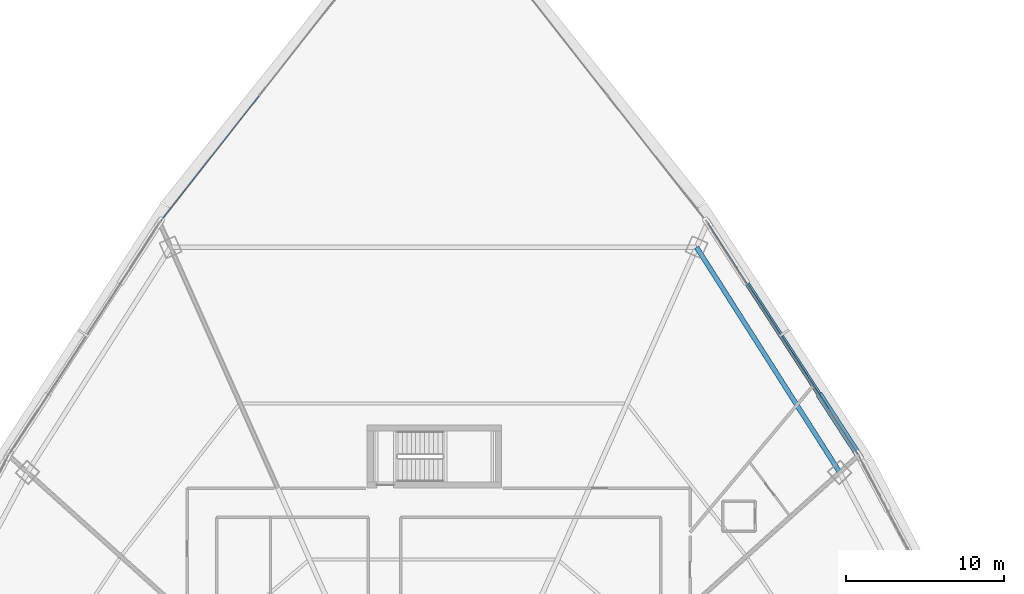
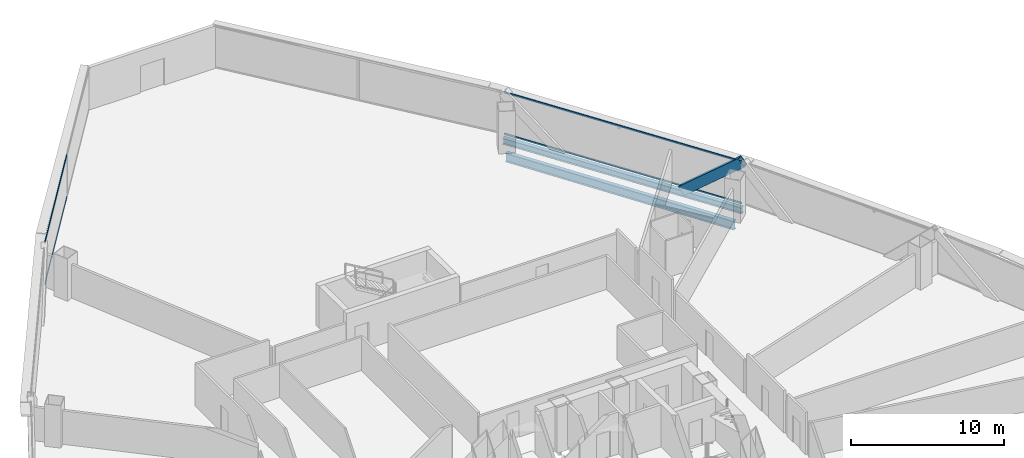
# One storey, part 26 of 42: 5 members, 2 beams, 2 elements without a shape of their own.
"""IFC4 building model written with IfcOpenShell, lengths in metres."""

from ifc_helpers import new_model, si_unit, direction, frame, origin, origin_2d, place, context, subcontext, project, spatial, hollow_rectangle, i_section, extrude, source, transform, mapped, material, layer, layer_set, material_profile, profile_set, type_object, element, aggregate, save


model = new_model("IFC4")

# Units and contexts
model_context = context("Model", 3, precision=1e-05, world=origin(), true_north=direction((0.0, 1.0)))
body_context = subcontext(model_context, "Body", "Model", "MODEL_VIEW")
ifc_project = project(units=[si_unit("LENGTHUNIT", "METRE"), si_unit("AREAUNIT", "SQUARE_METRE"), si_unit("VOLUMEUNIT", "CUBIC_METRE"), si_unit("PLANEANGLEUNIT", "RADIAN"), si_unit("MASSUNIT", "GRAM", prefix="KILO"), si_unit("THERMODYNAMICTEMPERATUREUNIT", "KELVIN"), si_unit("POWERUNIT", "WATT")], contexts=[model_context])

# Site, building, storey
site_placement = place(None, origin())
site = spatial("IfcSite", under=ifc_project, at=site_placement, CompositionType="ELEMENT")
building_placement = place(site_placement, origin())
building = spatial("IfcBuilding", under=site, at=building_placement, Name="Yunzhuo Pagoda Commons", CompositionType="ELEMENT")
storey_placement = place(building_placement, frame((0.0, 0.0, 44.919921875)))
storey = spatial("IfcBuildingStorey", under=building, at=storey_placement, Name="L11", CompositionType="ELEMENT", Elevation=44.919921875)

# Beams
ifc_material_1 = material(Name="Structural steel Q355B", Category="steel")
ifc_material_profile_1 = material_profile(ifc_material_1, i_section(OverallWidth=0.300048828125, OverallDepth=0.699951171875, WebThickness=0.012939453125, FlangeThickness=0.02392578125, at=origin_2d()), Name="Structural steel Q355B")
ifc_profile_set_1 = profile_set([ifc_material_profile_1], Name="Structural steel Q355B")
beam_type_1 = type_object("IfcBeamType", Name="B-RG1 Beam HN 700x300x13x24", PredefinedType="BEAM", material=ifc_profile_set_1)
shared_shape_1 = source(origin(), body_context, "Body", "SweptSolid", [
    extrude(i_section(OverallWidth=0.300048828125, OverallDepth=0.699951171875, WebThickness=0.012939453125, FlangeThickness=0.02392578125, at=origin_2d()), origin(), (0.0, 0.0, 1.0), 16.843994140625),
])
beam_1_placement = place(storey_placement, frame((73.648681640625, 56.79443359375, -0.60986328125), z_axis=(-0.536558458992, 0.843863152462, 0.0), x_axis=(-0.843863152462, -0.536558458992, 0.0)))
element("IfcBeam", 1, at=beam_1_placement, inside=storey, type_object=beam_type_1, Name="L11 column-ring beam 7", PredefinedType="BEAM", context=body_context, shape_type="MappedRepresentation", body=[
    mapped(shared_shape_1, transform((0.0, 0.0, 0.0), scale=1.0)),
])
ifc_material_profile_2 = material_profile(ifc_material_1, i_section(OverallWidth=0.300048828125, OverallDepth=0.488037109375, WebThickness=0.010986328125, FlangeThickness=0.01806640625, at=origin_2d()), Name="Structural steel Q355B")
ifc_profile_set_2 = profile_set([ifc_material_profile_2], Name="Structural steel Q355B")
beam_type_2 = type_object("IfcBeamType", Name="B-SP1 Beam HM 488x300x11x18", PredefinedType="BEAM", material=ifc_profile_set_2)
shared_shape_2 = source(origin(), body_context, "Body", "SweptSolid", [
    extrude(i_section(OverallWidth=0.300048828125, OverallDepth=0.488037109375, WebThickness=0.010986328125, FlangeThickness=0.01806640625, at=origin_2d()), origin(), (0.0, 0.0, 1.0), 17.521728515625),
])
beam_2_placement = place(storey_placement, frame((74.847412109375, 57.873291015625, -0.50390625), z_axis=(-0.544582276672, 0.838707424514, 0.0), x_axis=(-0.838707424514, -0.544582276672, 0.0)))
element("IfcBeam", 2, at=beam_2_placement, inside=storey, type_object=beam_type_2, Name="L11 facade edge spandrel beam F2.3", PredefinedType="BEAM", context=body_context, shape_type="MappedRepresentation", body=[
    mapped(shared_shape_2, transform((0.0, 0.0, 0.0), scale=1.0)),
])

# Member
ifc_material_2 = material(Name="Structural steel Q420B", Category="steel")
ifc_material_profile_3 = material_profile(ifc_material_2, hollow_rectangle(XDim=0.419921875, YDim=0.719970703125, WallThickness=0.028076171875, at=origin_2d()), Name="Structural steel Q420B")
ifc_profile_set_3 = profile_set([ifc_material_profile_3], Name="Structural steel Q420B")
member_type_1 = type_object("IfcMemberType", Name="M-DL1 Brace BOX 720x420x28", PredefinedType="BRACE", material=ifc_profile_set_3)
shared_shape_3 = source(origin(), body_context, "Body", "SweptSolid", [
    extrude(hollow_rectangle(XDim=0.419921875, YDim=0.719970703125, WallThickness=0.028076171875, at=origin_2d()), origin(), (0.0, 0.0, 1.0), 5.68896484375),
])
member_1_placement = place(storey_placement, frame((72.4619140625, 61.547119140625, -0.260009765625), z_axis=(0.419313008875, -0.645770356929, 0.63808874516), x_axis=(0.838703292145, 0.544588640852, 0.0)))
element("IfcMember", 3, at=member_1_placement, inside=storey, type_object=member_type_1, Name="L11 facade diamond brace F2.3L", PredefinedType="BRACE", context=body_context, shape_type="MappedRepresentation", body=[
    mapped(shared_shape_3, transform((0.0, 0.0, 0.0), scale=1.0)),
])

# Curtain wall, members
ifc_material_3 = material(Name="Anodized aluminium 6063-T6", Category="aluminium")
ifc_layer = layer(ifc_material_3, 0.1650390625)
ifc_layer_set = layer_set([ifc_layer], Name="Anodized aluminium 6063-T6")
curtain_wall_type = type_object("IfcCurtainWallType", Name="CW-LOW Low-Zone Ribbon Curtain Wall", PredefinedType="NOTDEFINED", material=ifc_layer_set)
curtain_wall_1_placement = place(storey_placement, origin())
curtain_wall_1 = element("IfcCurtainWall", 4, at=curtain_wall_1_placement, inside=storey, type_object=curtain_wall_type, Name="L11 curtain wall CW-L11-F2B4", PredefinedType="NOTDEFINED")
ifc_material_profile_4 = material_profile(ifc_material_3, hollow_rectangle(XDim=0.06005859375, YDim=0.139892578125, WallThickness=0.00341796875, at=origin_2d()), Name="Anodized aluminium 6063-T6")
ifc_profile_set_4 = profile_set([ifc_material_profile_4], Name="Anodized aluminium 6063-T6")
member_type_2 = type_object("IfcMemberType", Name="CW-LOW-T Transom RHS 140x60x3.5", PredefinedType="USERDEFINED", material=ifc_profile_set_4)
shared_shape_4 = source(origin(), body_context, "Body", "SweptSolid", [
    extrude(hollow_rectangle(XDim=0.06005859375, YDim=0.139892578125, WallThickness=0.00341796875, at=origin_2d()), origin(), (0.0, 0.0, 1.0), 17.391357421875),
])
member_2_placement = place(storey_placement, frame((74.81201171875, 57.92822265625, 0.030029296875), z_axis=(-0.544591079988, 0.838701708355, 0.0), x_axis=(-0.838701708355, -0.544591079988, 0.0)))
member_2 = element("IfcMember", 5, at=member_2_placement, type_object=member_type_2, Name="CW transom 1.1", ObjectType="TRANSOM", PredefinedType="USERDEFINED", context=body_context, shape_type="MappedRepresentation", body=[
    mapped(shared_shape_4, transform((0.0, 0.0, 0.0), scale=1.0)),
])
member_3_placement = place(storey_placement, frame((74.81201171875, 57.92822265625, 3.340087890625), z_axis=(-0.544591079988, 0.838701708355, 0.0), x_axis=(-0.838701708355, -0.544591079988, 0.0)))
member_3 = element("IfcMember", 6, at=member_3_placement, type_object=member_type_2, Name="CW transom 1.2", ObjectType="TRANSOM", PredefinedType="USERDEFINED", context=body_context, shape_type="MappedRepresentation", body=[
    mapped(shared_shape_4, transform((0.0, 0.0, 0.0), scale=1.0)),
])
aggregate(curtain_wall_1, [member_2, member_3])

curtain_wall_2_placement = place(storey_placement, origin())
curtain_wall_2 = element("IfcCurtainWall", 7, at=curtain_wall_2_placement, inside=storey, type_object=curtain_wall_type, Name="L11 curtain wall CW-L11-F3B1", PredefinedType="NOTDEFINED")
shared_shape_5 = source(origin(), body_context, "Body", "SweptSolid", [
    extrude(hollow_rectangle(XDim=0.06005859375, YDim=0.139892578125, WallThickness=0.00341796875, at=origin_2d()), origin(), (0.0, 0.0, 1.0), 10.042724609375),
])
member_4_placement = place(storey_placement, frame((36.9912109375, 80.571044921875, 0.030029296875), z_axis=(-0.618380762266, -0.785878637488, 0.0), x_axis=(0.785878637488, -0.618380762266, 0.0)))
member_4 = element("IfcMember", 8, at=member_4_placement, type_object=member_type_2, Name="CW transom 2.1", ObjectType="TRANSOM", PredefinedType="USERDEFINED", context=body_context, shape_type="MappedRepresentation", body=[
    mapped(shared_shape_5, transform((0.0, 0.0, 0.0), scale=1.0)),
])
member_5_placement = place(storey_placement, frame((36.9912109375, 80.571044921875, 3.340087890625), z_axis=(-0.618380762266, -0.785878637488, 0.0), x_axis=(0.785878637488, -0.618380762266, 0.0)))
member_5 = element("IfcMember", 9, at=member_5_placement, type_object=member_type_2, Name="CW transom 2.2", ObjectType="TRANSOM", PredefinedType="USERDEFINED", context=body_context, shape_type="MappedRepresentation", body=[
    mapped(shared_shape_5, transform((0.0, 0.0, 0.0), scale=1.0)),
])
aggregate(curtain_wall_2, [member_4, member_5])

save(model, "model.ifc")
